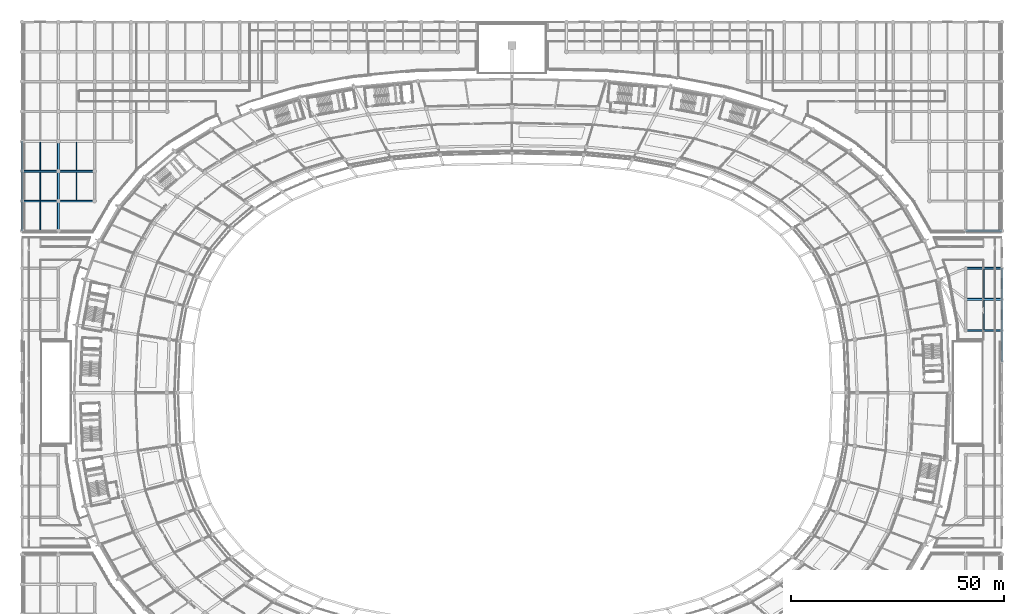
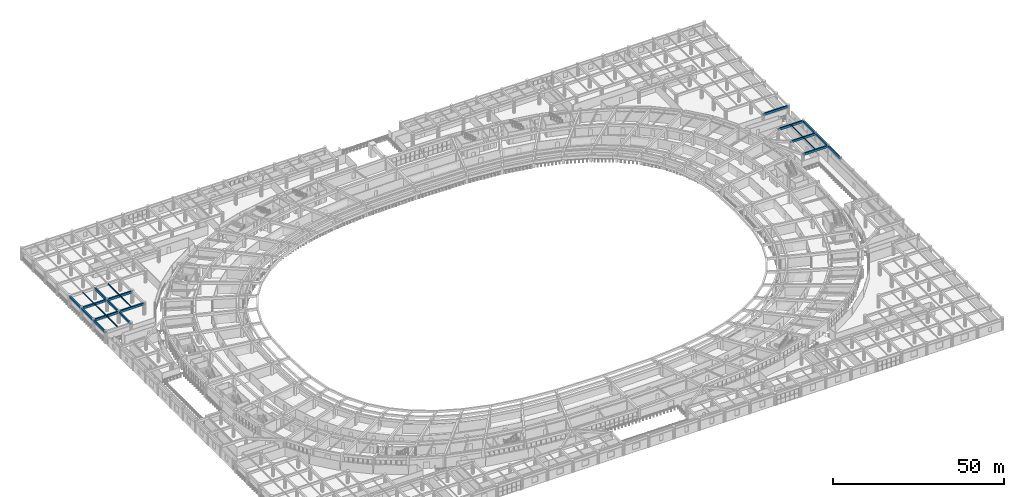
# One storey, part 54 of 145: 24 beams.
"""IFC4 building model written with IfcOpenShell, lengths in metres."""

from ifc_helpers import new_model, si_unit, direction, frame, origin, origin_2d, place, context, subcontext, project, spatial, rectangle, i_section, extrude, material, material_profile, profile_set, type_object, element, save


model = new_model("IFC4")

# Units and contexts
model_context = context("Model", 3, precision=1e-05, world=origin(), true_north=direction((0.0, 1.0)))
body_context = subcontext(model_context, "Body", "Model", "MODEL_VIEW")
ifc_project = project(units=[si_unit("LENGTHUNIT", "METRE"), si_unit("AREAUNIT", "SQUARE_METRE"), si_unit("VOLUMEUNIT", "CUBIC_METRE"), si_unit("PLANEANGLEUNIT", "RADIAN"), si_unit("MASSUNIT", "GRAM", prefix="KILO")], contexts=[model_context])

# Site, building, storey
site_placement = place(None, origin())
site = spatial("IfcSite", under=ifc_project, at=site_placement, CompositionType="ELEMENT")
building_placement = place(site_placement, origin())
building = spatial("IfcBuilding", under=site, at=building_placement, Name="Mphavela Belvedere Stadium", CompositionType="ELEMENT")
storey_placement = place(building_placement, frame((0.0, 0.0, 10.199951171875)))
storey = spatial("IfcBuildingStorey", under=building, at=storey_placement, Name="L02", CompositionType="ELEMENT", Elevation=10.199951171875)

# Beams
ifc_material_1 = material(Name="Steel S355", Category="steel")
ifc_material_profile_1 = material_profile(ifc_material_1, i_section(OverallWidth=0.169921875, OverallDepth=0.360107421875, WebThickness=0.008056640625, FlangeThickness=0.0126953125, at=origin_2d()), Name="IPE 360")
ifc_profile_set_1 = profile_set([ifc_material_profile_1], Name="Steel S355")
beam_type_1 = type_object("IfcBeamType", Name="BM-JOIST-IPE360", PredefinedType="JOIST", material=ifc_profile_set_1)
for number, where, z_axis, x_axis, name in (
    (1, (4.259521484375, 125.22509765625, 4.06005859375), (0.0, 1.0, 0.0), (-1.0, 0.0, 0.0), "North Mast and Ceremonial End Forecourt secondary joist L02 1-1"),
    (2, (4.259521484375, 132.22509765625, 4.06005859375), (0.0, 1.0, 0.0), (-1.0, 0.0, 0.0), "North Mast and Ceremonial End Forecourt secondary joist L02 1-2"),
    (3, (4.259521484375, 139.22509765625, 4.06005859375), (0.0, 1.0, 0.0), (-1.0, 0.0, 0.0), "North Mast and Ceremonial End Forecourt secondary joist L02 1-3"),
    (4, (12.778076171875, 132.22509765625, 4.06005859375), (0.0, 1.0, 0.0), (-1.0, 0.0, 0.0), "North Mast and Ceremonial End Forecourt secondary joist L02 2-2"),
    (5, (12.778076171875, 139.22509765625, 4.06005859375), (0.0, 1.0, 0.0), (-1.0, 0.0, 0.0), "North Mast and Ceremonial End Forecourt secondary joist L02 2-3"),
):
    element("IfcBeam", number, at=place(storey_placement, frame(where, z_axis=z_axis, x_axis=x_axis)), inside=storey, type_object=beam_type_1, Name=name, PredefinedType="JOIST", context=body_context, shape_type="SweptSolid", body=[
        extrude(i_section(OverallWidth=0.169921875, OverallDepth=0.360107421875, WebThickness=0.008056640625, FlangeThickness=0.0126953125, at=origin_2d()), origin(), (0.0, 0.0, 1.0), 6.5498046875),
    ])
for number, where, z_axis, x_axis, name in (
    (6, (225.75, 101.824951171875, 4.06005859375), (0.0, 1.0, 0.0), (-1.0, 0.0, 0.0), "East Planted Eaves Peristyle Colonnade secondary joist L02 8-8"),
    (7, (225.75, 109.125, 4.06005859375), (0.0, 1.0, 0.0), (-1.0, 0.0, 0.0), "East Planted Eaves Peristyle Colonnade secondary joist L02 8-9"),
):
    element("IfcBeam", number, at=place(storey_placement, frame(where, z_axis=z_axis, x_axis=x_axis)), inside=storey, type_object=beam_type_1, Name=name, PredefinedType="JOIST", context=body_context, shape_type="SweptSolid", body=[
        extrude(i_section(OverallWidth=0.169921875, OverallDepth=0.360107421875, WebThickness=0.008056640625, FlangeThickness=0.0126953125, at=origin_2d()), origin(), (0.0, 0.0, 1.0), 6.85009765625),
    ])
ifc_material_2 = material(Name="Concrete C40/50", Category="concrete")
ifc_material_profile_2 = material_profile(ifc_material_2, rectangle(XDim=0.449951171875, YDim=0.75, at=origin_2d()), Name="RC 450x750")
ifc_profile_set_2 = profile_set([ifc_material_profile_2], Name="Concrete C40/50")
beam_type_2 = type_object("IfcBeamType", Name="BM-RC450x750", PredefinedType="BEAM", material=ifc_profile_set_2)
beam_1_placement = place(storey_placement, frame((0.0, 125.0, 3.864990234375), z_axis=(0.0, 1.0, 0.0), x_axis=(-1.0, 0.0, 0.0)))
element("IfcBeam", 8, at=beam_1_placement, inside=storey, type_object=beam_type_2, Name="North Mast and Ceremonial End Forecourt entablature beam Y L02 1-1", PredefinedType="BEAM", context=body_context, shape_type="SweptSolid", body=[
    extrude(rectangle(XDim=0.449951171875, YDim=0.75, at=origin_2d()), origin(), (0.0, 0.0, 1.0), 7.0),
])
beam_2_placement = place(storey_placement, frame((0.0, 132.0, 3.864990234375), z_axis=(1.0, 0.0, 0.0), x_axis=(0.0, 1.0, 0.0)))
element("IfcBeam", 9, at=beam_2_placement, inside=storey, type_object=beam_type_2, Name="North Mast and Ceremonial End Forecourt entablature beam X L02 1-2", PredefinedType="BEAM", context=body_context, shape_type="SweptSolid", body=[
    extrude(rectangle(XDim=0.449951171875, YDim=0.75, at=origin_2d()), origin(), (0.0, 0.0, 1.0), 8.51904296875),
])
beam_3_placement = place(storey_placement, frame((0.0, 132.0, 3.864990234375), z_axis=(0.0, 1.0, 0.0), x_axis=(-1.0, 0.0, 0.0)))
element("IfcBeam", 10, at=beam_3_placement, inside=storey, type_object=beam_type_2, Name="North Mast and Ceremonial End Forecourt entablature beam Y L02 1-2", PredefinedType="BEAM", context=body_context, shape_type="SweptSolid", body=[
    extrude(rectangle(XDim=0.449951171875, YDim=0.75, at=origin_2d()), origin(), (0.0, 0.0, 1.0), 7.0),
])
beam_4_placement = place(storey_placement, frame((0.0, 139.0, 3.864990234375), z_axis=(1.0, 0.0, 0.0), x_axis=(0.0, 1.0, 0.0)))
element("IfcBeam", 11, at=beam_4_placement, inside=storey, type_object=beam_type_2, Name="North Mast and Ceremonial End Forecourt entablature beam X L02 1-3", PredefinedType="BEAM", context=body_context, shape_type="SweptSolid", body=[
    extrude(rectangle(XDim=0.449951171875, YDim=0.75, at=origin_2d()), origin(), (0.0, 0.0, 1.0), 8.51904296875),
])
for number, where, z_axis, x_axis, name in (
    (12, (0.0, 139.0, 3.864990234375), (0.0, 1.0, 0.0), (-1.0, 0.0, 0.0), "North Mast and Ceremonial End Forecourt entablature beam Y L02 1-3"),
    (13, (8.51904296875, 125.0, 3.864990234375), (0.0, 1.0, 0.0), (-1.0, 0.0, 0.0), "North Mast and Ceremonial End Forecourt entablature beam Y L02 2-1"),
):
    element("IfcBeam", number, at=place(storey_placement, frame(where, z_axis=z_axis, x_axis=x_axis)), inside=storey, type_object=beam_type_2, Name=name, PredefinedType="BEAM", context=body_context, shape_type="SweptSolid", body=[
        extrude(rectangle(XDim=0.449951171875, YDim=0.75, at=origin_2d()), origin(), (0.0, 0.0, 1.0), 7.0),
    ])
beam_5_placement = place(storey_placement, frame((8.51904296875, 132.0, 3.864990234375), z_axis=(1.0, 0.0, 0.0), x_axis=(0.0, 1.0, 0.0)))
element("IfcBeam", 14, at=beam_5_placement, inside=storey, type_object=beam_type_2, Name="North Mast and Ceremonial End Forecourt entablature beam X L02 2-2", PredefinedType="BEAM", context=body_context, shape_type="SweptSolid", body=[
    extrude(rectangle(XDim=0.449951171875, YDim=0.75, at=origin_2d()), origin(), (0.0, 0.0, 1.0), 8.51806640625),
])
beam_6_placement = place(storey_placement, frame((8.51904296875, 132.0, 3.864990234375), z_axis=(0.0, 1.0, 0.0), x_axis=(-1.0, 0.0, 0.0)))
element("IfcBeam", 15, at=beam_6_placement, inside=storey, type_object=beam_type_2, Name="North Mast and Ceremonial End Forecourt entablature beam Y L02 2-2", PredefinedType="BEAM", context=body_context, shape_type="SweptSolid", body=[
    extrude(rectangle(XDim=0.449951171875, YDim=0.75, at=origin_2d()), origin(), (0.0, 0.0, 1.0), 7.0),
])
beam_7_placement = place(storey_placement, frame((8.51904296875, 139.0, 3.864990234375), z_axis=(1.0, 0.0, 0.0), x_axis=(0.0, 1.0, 0.0)))
element("IfcBeam", 16, at=beam_7_placement, inside=storey, type_object=beam_type_2, Name="North Mast and Ceremonial End Forecourt entablature beam X L02 2-3", PredefinedType="BEAM", context=body_context, shape_type="SweptSolid", body=[
    extrude(rectangle(XDim=0.449951171875, YDim=0.75, at=origin_2d()), origin(), (0.0, 0.0, 1.0), 8.51806640625),
])
beam_8_placement = place(storey_placement, frame((8.51904296875, 139.0, 3.864990234375), z_axis=(0.0, 1.0, 0.0), x_axis=(-1.0, 0.0, 0.0)))
element("IfcBeam", 17, at=beam_8_placement, inside=storey, type_object=beam_type_2, Name="North Mast and Ceremonial End Forecourt entablature beam Y L02 2-3", PredefinedType="BEAM", context=body_context, shape_type="SweptSolid", body=[
    extrude(rectangle(XDim=0.449951171875, YDim=0.75, at=origin_2d()), origin(), (0.0, 0.0, 1.0), 7.0),
])
beam_9_placement = place(storey_placement, frame((221.48095703125, 125.0, 3.864990234375), z_axis=(1.0, 0.0, 0.0), x_axis=(0.0, 1.0, 0.0)))
element("IfcBeam", 18, at=beam_9_placement, inside=storey, type_object=beam_type_2, Name="North Mast and Ceremonial End Forecourt entablature beam X L02 27-1", PredefinedType="BEAM", context=body_context, shape_type="SweptSolid", body=[
    extrude(rectangle(XDim=0.449951171875, YDim=0.75, at=origin_2d()), origin(), (0.0, 0.0, 1.0), 8.51904296875),
])
for number, where, z_axis, x_axis, name in (
    (19, (221.5, 101.60009765625, 3.864990234375), (1.0, 0.0, 0.0), (0.0, 1.0, 0.0), "East Planted Eaves Peristyle Colonnade entablature beam X L02 8-8"),
    (20, (221.5, 108.89990234375, 3.864990234375), (1.0, 0.0, 0.0), (0.0, 1.0, 0.0), "East Planted Eaves Peristyle Colonnade entablature beam X L02 8-9"),
    (21, (221.5, 116.199951171875, 3.864990234375), (1.0, 0.0, 0.0), (0.0, 1.0, 0.0), "East Planted Eaves Peristyle Colonnade entablature beam X L02 8-10"),
):
    element("IfcBeam", number, at=place(storey_placement, frame(where, z_axis=z_axis, x_axis=x_axis)), inside=storey, type_object=beam_type_2, Name=name, PredefinedType="BEAM", context=body_context, shape_type="SweptSolid", body=[
        extrude(rectangle(XDim=0.449951171875, YDim=0.75, at=origin_2d()), origin(), (0.0, 0.0, 1.0), 8.5),
    ])
beam_10_placement = place(storey_placement, frame((230.0, 94.300048828125, 3.864990234375), z_axis=(0.0, 1.0, 0.0), x_axis=(-1.0, 0.0, 0.0)))
element("IfcBeam", 22, at=beam_10_placement, inside=storey, type_object=beam_type_2, Name="East Planted Eaves Peristyle Colonnade entablature beam Y L02 9-7", PredefinedType="BEAM", context=body_context, shape_type="SweptSolid", body=[
    extrude(rectangle(XDim=0.449951171875, YDim=0.75, at=origin_2d()), origin(), (0.0, 0.0, 1.0), 7.300048828125),
])
beam_11_placement = place(storey_placement, frame((230.0, 101.60009765625, 3.864990234375), z_axis=(0.0, 1.0, 0.0), x_axis=(-1.0, 0.0, 0.0)))
element("IfcBeam", 23, at=beam_11_placement, inside=storey, type_object=beam_type_2, Name="East Planted Eaves Peristyle Colonnade entablature beam Y L02 9-8", PredefinedType="BEAM", context=body_context, shape_type="SweptSolid", body=[
    extrude(rectangle(XDim=0.449951171875, YDim=0.75, at=origin_2d()), origin(), (0.0, 0.0, 1.0), 7.2998046875),
])
beam_12_placement = place(storey_placement, frame((230.0, 108.89990234375, 3.864990234375), z_axis=(0.0, 1.0, 0.0), x_axis=(-1.0, 0.0, 0.0)))
element("IfcBeam", 24, at=beam_12_placement, inside=storey, type_object=beam_type_2, Name="East Planted Eaves Peristyle Colonnade entablature beam Y L02 9-9", PredefinedType="BEAM", context=body_context, shape_type="SweptSolid", body=[
    extrude(rectangle(XDim=0.449951171875, YDim=0.75, at=origin_2d()), origin(), (0.0, 0.0, 1.0), 7.300048828125),
])

save(model, "model.ifc")
